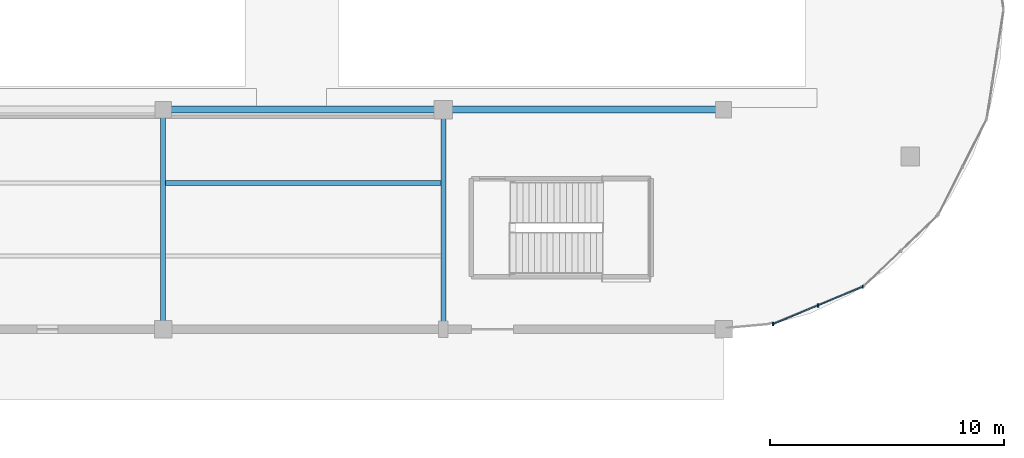
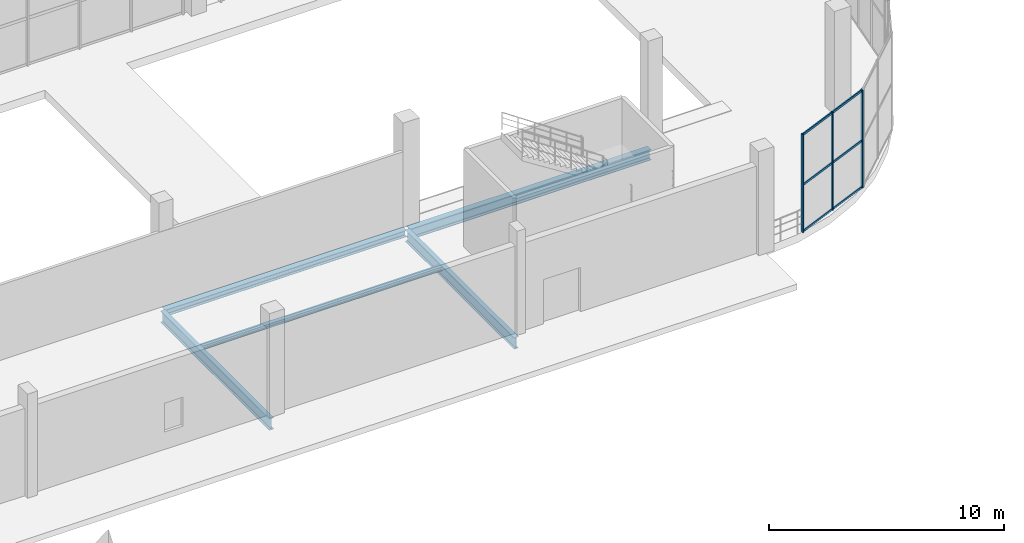
# One storey, part 39 of 85: 9 members, 5 beams, 1 element without a shape of its own.
"""IFC4 building model written with IfcOpenShell, lengths in metres."""

from ifc_helpers import new_model, si_unit, direction, frame, origin, origin_2d, place, context, subcontext, project, spatial, rectangle, i_section, extrude, material, material_profile, profile_set, type_object, element, aggregate, save


model = new_model("IFC4")

# Units and contexts
model_context = context("Model", 3, precision=1e-05, world=origin(), true_north=direction((0.0, 1.0)))
body_context = subcontext(model_context, "Body", "Model", "MODEL_VIEW")
ifc_project = project(units=[si_unit("LENGTHUNIT", "METRE"), si_unit("AREAUNIT", "SQUARE_METRE"), si_unit("VOLUMEUNIT", "CUBIC_METRE"), si_unit("PLANEANGLEUNIT", "RADIAN"), si_unit("MASSUNIT", "GRAM", prefix="KILO"), si_unit("THERMODYNAMICTEMPERATUREUNIT", "KELVIN"), si_unit("POWERUNIT", "WATT")], contexts=[model_context])

# Site, building, storey
site_placement = place(None, origin())
site = spatial("IfcSite", under=ifc_project, at=site_placement, CompositionType="ELEMENT")
building_placement = place(site_placement, origin())
building = spatial("IfcBuilding", under=site, at=building_placement, Name="Solmara Park Aquatics Centre", CompositionType="ELEMENT")
storey_placement = place(building_placement, origin())
storey = spatial("IfcBuildingStorey", under=building, at=storey_placement, Name="L00", CompositionType="ELEMENT", Elevation=0.0)

# Curtain wall, members
ifc_material_1 = material(Name="Anodised Aluminium Curtain Wall Framing", Category="aluminium")
curtain_wall_type = type_object("IfcCurtainWallType", Name="ARC-CW-SYS06", PredefinedType="USERDEFINED", material=ifc_material_1)
curtain_wall_placement = place(storey_placement, origin())
curtain_wall = element("IfcCurtainWall", 1, at=curtain_wall_placement, inside=storey, type_object=curtain_wall_type, Name="Curtain Wall CW-138", ObjectType="CURTAIN WALL", PredefinedType="USERDEFINED")
ifc_material_2 = material(Name="Anodised Aluminium Alloy 6063-T6", Category="aluminium")
ifc_material_profile_1 = material_profile(ifc_material_2, rectangle(XDim=0.054931640625, YDim=0.139892578125, at=origin_2d()), Name="ALU MULLION 55x140")
ifc_profile_set_1 = profile_set([ifc_material_profile_1], Name="Anodised Aluminium Alloy 6063-T6")
member_type_1 = type_object("IfcMemberType", Name="ARC-CWM-55x140", PredefinedType="MULLION", material=ifc_profile_set_1)
member_1_placement = place(storey_placement, frame((158.12060546875, 108.823486328125, 0.0), z_axis=(0.0, 0.0, 1.0), x_axis=(1.0, 0.0, 0.0)))
member_1 = element("IfcMember", 2, at=member_1_placement, type_object=member_type_1, Name="CW-138 mullion 1", PredefinedType="MULLION", context=body_context, shape_type="SweptSolid", body=[
    extrude(rectangle(XDim=0.054931640625, YDim=0.139892578125, at=origin_2d()), origin(), (0.0, 0.0, 1.0), 5.080078125),
])
member_2_placement = place(storey_placement, frame((160.0419921875, 109.621826171875, 0.0), z_axis=(0.0, 0.0, 1.0), x_axis=(1.0, 0.0, 0.0)))
member_2 = element("IfcMember", 3, at=member_2_placement, type_object=member_type_1, Name="CW-138 mullion 2", PredefinedType="MULLION", context=body_context, shape_type="SweptSolid", body=[
    extrude(rectangle(XDim=0.054931640625, YDim=0.139892578125, at=origin_2d()), origin(), (0.0, 0.0, 1.0), 5.080078125),
])
member_3_placement = place(storey_placement, frame((161.963134765625, 110.420166015625, 0.0), z_axis=(0.0, 0.0, 1.0), x_axis=(1.0, 0.0, 0.0)))
member_3 = element("IfcMember", 4, at=member_3_placement, type_object=member_type_1, Name="CW-138 mullion 3", PredefinedType="MULLION", context=body_context, shape_type="SweptSolid", body=[
    extrude(rectangle(XDim=0.054931640625, YDim=0.139892578125, at=origin_2d()), origin(), (0.0, 0.0, 1.0), 5.080078125),
])
ifc_material_profile_2 = material_profile(ifc_material_2, rectangle(XDim=0.054931640625, YDim=0.110107421875, at=origin_2d()), Name="ALU TRANSOM 55x110")
ifc_profile_set_2 = profile_set([ifc_material_profile_2], Name="Anodised Aluminium Alloy 6063-T6")
member_type_2 = type_object("IfcMemberType", Name="ARC-CWT-55x110", PredefinedType="USERDEFINED", material=ifc_profile_set_2)
member_4_placement = place(storey_placement, frame((158.13916015625, 108.8310546875, 0.0400390625), z_axis=(0.923419546645, 0.383792054209, 0.0), x_axis=(-0.383792054209, 0.923419546645, 0.0)))
member_4 = element("IfcMember", 5, at=member_4_placement, type_object=member_type_2, Name="CW-138 transom 1", ObjectType="TRANSOM", PredefinedType="USERDEFINED", context=body_context, shape_type="SweptSolid", body=[
    extrude(rectangle(XDim=0.054931640625, YDim=0.110107421875, at=origin_2d()), origin(), (0.0, 0.0, 1.0), 2.000732421875),
])
member_5_placement = place(storey_placement, frame((158.13916015625, 108.8310546875, 2.449951171875), z_axis=(0.923419546645, 0.383792054209, 0.0), x_axis=(-0.383792054209, 0.923419546645, 0.0)))
member_5 = element("IfcMember", 6, at=member_5_placement, type_object=member_type_2, Name="CW-138 transom 2", ObjectType="TRANSOM", PredefinedType="USERDEFINED", context=body_context, shape_type="SweptSolid", body=[
    extrude(rectangle(XDim=0.054931640625, YDim=0.110107421875, at=origin_2d()), origin(), (0.0, 0.0, 1.0), 2.000732421875),
])
member_6_placement = place(storey_placement, frame((158.13916015625, 108.8310546875, 5.0400390625), z_axis=(0.923419546645, 0.383792054209, 0.0), x_axis=(-0.383792054209, 0.923419546645, 0.0)))
member_6 = element("IfcMember", 7, at=member_6_placement, type_object=member_type_2, Name="CW-138 transom 3", ObjectType="TRANSOM", PredefinedType="USERDEFINED", context=body_context, shape_type="SweptSolid", body=[
    extrude(rectangle(XDim=0.054931640625, YDim=0.110107421875, at=origin_2d()), origin(), (0.0, 0.0, 1.0), 2.000732421875),
])
member_7_placement = place(storey_placement, frame((160.060302734375, 109.62939453125, 0.0400390625), z_axis=(0.923419546645, 0.383792054209, 0.0), x_axis=(-0.383792054209, 0.923419546645, 0.0)))
member_7 = element("IfcMember", 8, at=member_7_placement, type_object=member_type_2, Name="CW-138 transom 4", ObjectType="TRANSOM", PredefinedType="USERDEFINED", context=body_context, shape_type="SweptSolid", body=[
    extrude(rectangle(XDim=0.054931640625, YDim=0.110107421875, at=origin_2d()), origin(), (0.0, 0.0, 1.0), 2.000732421875),
])
member_8_placement = place(storey_placement, frame((160.060302734375, 109.62939453125, 2.449951171875), z_axis=(0.923419546645, 0.383792054209, 0.0), x_axis=(-0.383792054209, 0.923419546645, 0.0)))
member_8 = element("IfcMember", 9, at=member_8_placement, type_object=member_type_2, Name="CW-138 transom 5", ObjectType="TRANSOM", PredefinedType="USERDEFINED", context=body_context, shape_type="SweptSolid", body=[
    extrude(rectangle(XDim=0.054931640625, YDim=0.110107421875, at=origin_2d()), origin(), (0.0, 0.0, 1.0), 2.000732421875),
])
member_9_placement = place(storey_placement, frame((160.060302734375, 109.62939453125, 5.0400390625), z_axis=(0.923419546645, 0.383792054209, 0.0), x_axis=(-0.383792054209, 0.923419546645, 0.0)))
member_9 = element("IfcMember", 10, at=member_9_placement, type_object=member_type_2, Name="CW-138 transom 6", ObjectType="TRANSOM", PredefinedType="USERDEFINED", context=body_context, shape_type="SweptSolid", body=[
    extrude(rectangle(XDim=0.054931640625, YDim=0.110107421875, at=origin_2d()), origin(), (0.0, 0.0, 1.0), 2.000732421875),
])
aggregate(curtain_wall, [member_1, member_2, member_3, member_4, member_5, member_6, member_7, member_8, member_9])

# Beams
ifc_material_3 = material(Name="Structural Steel S355", Category="steel")
ifc_material_profile_3 = material_profile(ifc_material_3, i_section(OverallWidth=0.300048828125, OverallDepth=0.330078125, WebThickness=0.009521484375, FlangeThickness=0.0166015625, FilletRadius=0.027099609375, at=origin_2d()), Name="HEA 340")
ifc_profile_set_3 = profile_set([ifc_material_profile_3], Name="Structural Steel S355")
beam_type_1 = type_object("IfcBeamType", Name="STR-BM-HEA340", PredefinedType="BEAM", material=ifc_profile_set_3)
beam_1_placement = place(storey_placement, frame((132.080078125, 118.0, -0.5849609375), z_axis=(1.0, 0.0, 0.0), x_axis=(0.0, 1.0, 0.0)))
element("IfcBeam", 11, at=beam_1_placement, inside=storey, type_object=beam_type_1, Name="Girder BM-L00-0132", PredefinedType="BEAM", context=body_context, shape_type="SweptSolid", body=[
    extrude(i_section(OverallWidth=0.300048828125, OverallDepth=0.330078125, WebThickness=0.009521484375, FlangeThickness=0.0166015625, FilletRadius=0.027099609375, at=origin_2d()), origin(), (0.0, 0.0, 1.0), 11.83984375),
])
ifc_material_profile_4 = material_profile(ifc_material_3, i_section(OverallWidth=0.300048828125, OverallDepth=0.550048828125, WebThickness=0.014892578125, FlangeThickness=0.029052734375, FilletRadius=0.027099609375, at=origin_2d()), Name="HEB 550")
ifc_profile_set_4 = profile_set([ifc_material_profile_4], Name="Structural Steel S355")
beam_type_2 = type_object("IfcBeamType", Name="STR-BM-HEB550", PredefinedType="BEAM", material=ifc_profile_set_4)
beam_2_placement = place(storey_placement, frame((144.080078125, 118.0, -0.695068359375), z_axis=(1.0, 0.0, 0.0), x_axis=(0.0, 1.0, 0.0)))
element("IfcBeam", 12, at=beam_2_placement, inside=storey, type_object=beam_type_2, Name="Girder BM-L00-0133", PredefinedType="BEAM", context=body_context, shape_type="SweptSolid", body=[
    extrude(i_section(OverallWidth=0.300048828125, OverallDepth=0.550048828125, WebThickness=0.014892578125, FlangeThickness=0.029052734375, FilletRadius=0.027099609375, at=origin_2d()), origin(), (0.0, 0.0, 1.0), 11.83984375),
])
ifc_material_profile_5 = material_profile(ifc_material_3, i_section(OverallWidth=0.219970703125, OverallDepth=0.60009765625, WebThickness=0.011962890625, FlangeThickness=0.01904296875, FilletRadius=0.02392578125, at=origin_2d()), Name="IPE 600")
ifc_profile_set_5 = profile_set([ifc_material_profile_5], Name="Structural Steel S355")
beam_type_3 = type_object("IfcBeamType", Name="STR-BM-IPE600", PredefinedType="BEAM", material=ifc_profile_set_5)
for number, where, z_axis, x_axis, name in (
    (13, (132.0, 108.679931640625, -0.719970703125), (0.0, 1.0, 0.0), (-1.0, 0.0, 0.0), "Girder BM-L00-0163"),
    (14, (144.0, 108.679931640625, -0.719970703125), (0.0, 1.0, 0.0), (-1.0, 0.0, 0.0), "Girder BM-L00-0164"),
):
    element("IfcBeam", number, at=place(storey_placement, frame(where, z_axis=z_axis, x_axis=x_axis)), inside=storey, type_object=beam_type_3, Name=name, PredefinedType="BEAM", context=body_context, shape_type="SweptSolid", body=[
        extrude(i_section(OverallWidth=0.219970703125, OverallDepth=0.60009765625, WebThickness=0.011962890625, FlangeThickness=0.01904296875, FilletRadius=0.02392578125, at=origin_2d()), origin(), (0.0, 0.0, 1.0), 9.239990234375),
    ])
ifc_material_profile_6 = material_profile(ifc_material_3, i_section(OverallWidth=0.219970703125, OverallDepth=0.2099609375, WebThickness=0.007080078125, FlangeThickness=0.010986328125, FilletRadius=0.01806640625, at=origin_2d()), Name="HEA 220")
ifc_profile_set_6 = profile_set([ifc_material_profile_6], Name="Structural Steel S355")
beam_type_4 = type_object("IfcBeamType", Name="STR-JST-HEA220", PredefinedType="JOIST", material=ifc_profile_set_6)
beam_3_placement = place(storey_placement, frame((132.110107421875, 114.86669921875, -0.52490234375), z_axis=(1.0, 0.0, 0.0), x_axis=(0.0, 1.0, 0.0)))
element("IfcBeam", 15, at=beam_3_placement, inside=storey, type_object=beam_type_4, Name="Floor Joist JST-L00-0104", PredefinedType="JOIST", context=body_context, shape_type="SweptSolid", body=[
    extrude(i_section(OverallWidth=0.219970703125, OverallDepth=0.2099609375, WebThickness=0.007080078125, FlangeThickness=0.010986328125, FilletRadius=0.01806640625, at=origin_2d()), origin(), (0.0, 0.0, 1.0), 11.77978515625),
])

save(model, "model.ifc")
